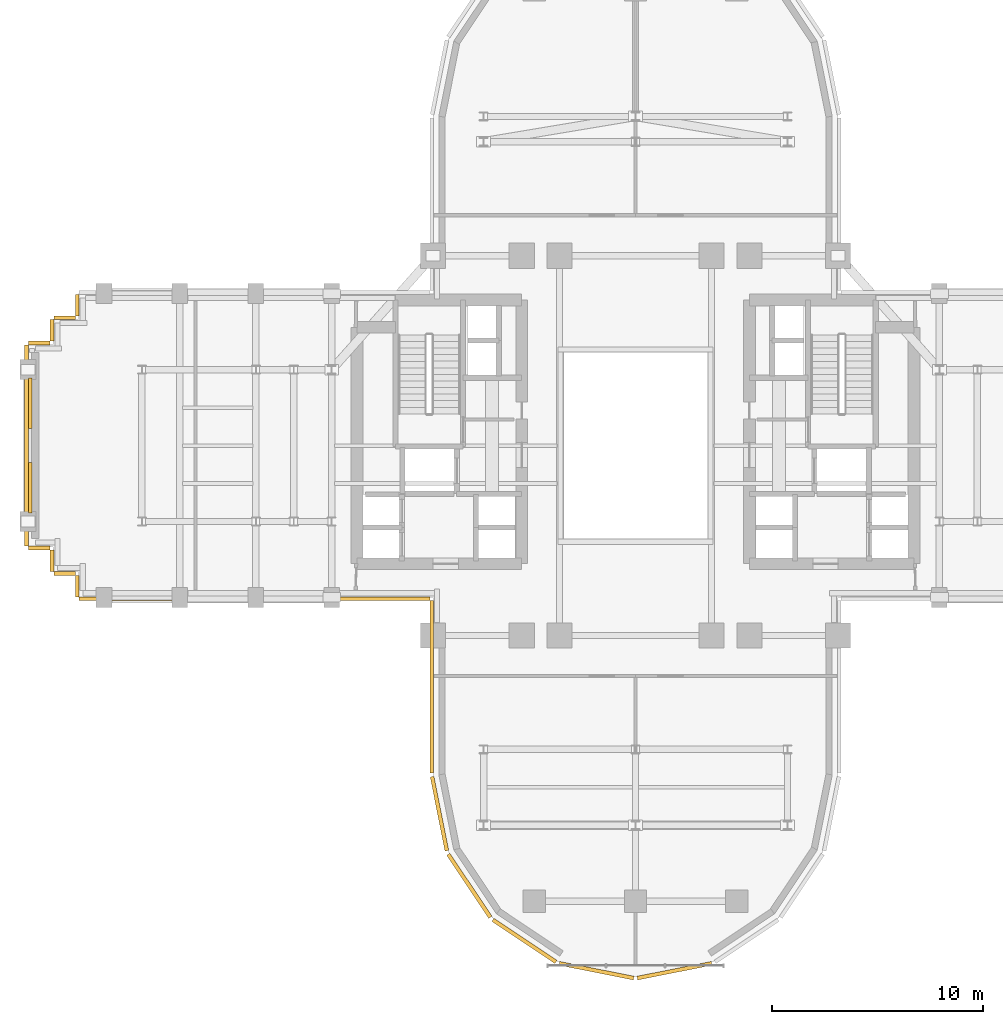
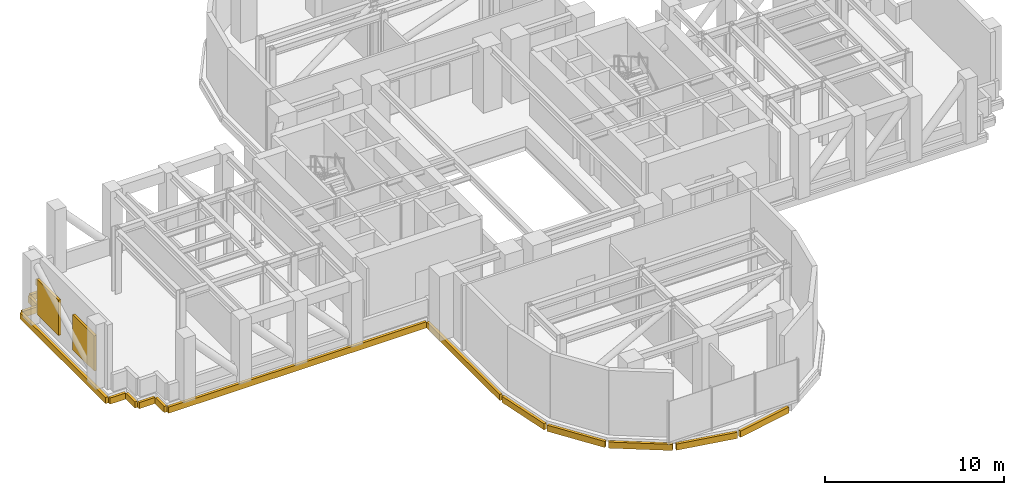
# One storey, part 12 of 15: 16 coverings, 2 shading devices.
"""IFC4 building model written with IfcOpenShell, lengths in metres."""

from ifc_helpers import new_model, si_unit, direction, frame, origin, origin_2d, place, context, subcontext, project, spatial, rectangle, extrude, source, transform, mapped, material, layer, layer_set, type_object, element, save


model = new_model("IFC4")

# Units and contexts
model_context = context("Model", 3, precision=1e-05, world=origin(), true_north=direction((0.0, 1.0)))
body_context = subcontext(model_context, "Body", "Model", "MODEL_VIEW")
ifc_project = project(units=[si_unit("LENGTHUNIT", "METRE"), si_unit("AREAUNIT", "SQUARE_METRE"), si_unit("VOLUMEUNIT", "CUBIC_METRE"), si_unit("PLANEANGLEUNIT", "RADIAN"), si_unit("MASSUNIT", "GRAM", prefix="KILO")], contexts=[model_context])

# Site, building, storey
site_placement = place(None, origin())
site = spatial("IfcSite", under=ifc_project, at=site_placement, CompositionType="ELEMENT")
building_placement = place(site_placement, origin())
building = spatial("IfcBuilding", under=site, at=building_placement, Name="Keilestroom Media Tower", CompositionType="ELEMENT")
storey_placement = place(building_placement, frame((0.0, 0.0, 88.39990234375)))
storey = spatial("IfcBuildingStorey", under=building, at=storey_placement, Name="L23", CompositionType="ELEMENT", Elevation=88.39990234375)

# Shading devices
ifc_material_1 = material(Name="Bronze Anodised Aluminium", Category="aluminium")
ifc_layer_1 = layer(ifc_material_1, 0.159912109375)
ifc_layer_set_1 = layer_set([ifc_layer_1], Name="Bronze Anodised Aluminium")
shading_device_type = type_object("IfcShadingDeviceType", Name="Facade-Plant-Intake-Louvre-SHD-2", PredefinedType="USERDEFINED", material=ifc_layer_set_1)
shared_shape_1 = source(origin(), body_context, "Body", "SweptSolid", [
    extrude(rectangle(XDim=0.159912109375, YDim=2.39990234375, at=origin_2d()), origin(), (0.0, 0.0, 1.0), 2.39990234375),
])
for number, where, z_axis, x_axis, name in (
    (1, (-28.68994140625, -2.0, 0.60009765625), (0.0, 0.0, 1.0), (1.0, 0.0, 0.0), "L23 Plant Intake Louvre W 05"),
    (2, (-28.68994140625, 2.0, 0.60009765625), (0.0, 0.0, 1.0), (1.0, 0.0, 0.0), "L23 Plant Intake Louvre W 06"),
):
    element("IfcShadingDevice", number, at=place(storey_placement, frame(where, z_axis=z_axis, x_axis=x_axis)), inside=storey, type_object=shading_device_type, Name=name, ObjectType="LOUVER", PredefinedType="USERDEFINED", context=body_context, shape_type="MappedRepresentation", body=[
        mapped(shared_shape_1, transform((0.0, 0.0, 0.0), x_axis=(1.0, 0.0, 0.0), y_axis=(0.0, 1.0, 0.0), z_axis=(0.0, 0.0, 1.0), scale=1.0)),
    ])

# Coverings
ifc_material_2 = material(Name="Precast concrete C40/50", Category="concrete")
ifc_layer_2 = layer(ifc_material_2, 0.1201171875)
ifc_layer_set_2 = layer_set([ifc_layer_2], Name="Precast concrete C40/50")
covering_type = type_object("IfcCoveringType", Name="Exterior-Precast-Spandrel-Cladding-Panel-120", PredefinedType="CLADDING", material=ifc_layer_set_2)
shared_shape_2 = source(origin(), body_context, "Body", "SweptSolid", [
    extrude(rectangle(XDim=1.02001953125, YDim=0.179931640625, at=origin_2d()), origin(), (0.0, 0.0, 1.0), 0.419921875),
])
for number, where, z_axis, x_axis, name in (
    (3, (-26.4599609375, -6.659912109375, -0.599853515625), (0.0, 0.0, 1.0), (0.0, 1.0, 0.0), "L23 Precast Slab-Edge Fascia Cornice 17"),
    (4, (-27.06005859375, -6.06005859375, -0.599853515625), (0.0, 0.0, 1.0), (-1.0, 0.0, 0.0), "L23 Precast Slab-Edge Fascia Cornice 18"),
    (5, (-27.659912109375, -5.4599609375, -0.599853515625), (0.0, 0.0, 1.0), (0.0, 1.0, 0.0), "L23 Precast Slab-Edge Fascia Cornice 19"),
    (6, (-28.260009765625, -4.860107421875, -0.599853515625), (0.0, 0.0, 1.0), (-1.0, 0.0, 0.0), "L23 Precast Slab-Edge Fascia Cornice 20"),
    (7, (-28.260009765625, 4.860107421875, -0.599853515625), (0.0, 0.0, 1.0), (1.0, 0.0, 0.0), "L23 Precast Slab-Edge Fascia Cornice 22"),
    (8, (-27.659912109375, 5.4599609375, -0.599853515625), (0.0, 0.0, 1.0), (0.0, 1.0, 0.0), "L23 Precast Slab-Edge Fascia Cornice 23"),
    (9, (-27.06005859375, 6.06005859375, -0.599853515625), (0.0, 0.0, 1.0), (1.0, 0.0, 0.0), "L23 Precast Slab-Edge Fascia Cornice 24"),
    (10, (-26.4599609375, 6.659912109375, -0.599853515625), (0.0, 0.0, 1.0), (0.0, 1.0, 0.0), "L23 Precast Slab-Edge Fascia Cornice 25"),
):
    element("IfcCovering", number, at=place(storey_placement, frame(where, z_axis=z_axis, x_axis=x_axis)), inside=storey, type_object=covering_type, Name=name, PredefinedType="CLADDING", context=body_context, shape_type="MappedRepresentation", body=[
        mapped(shared_shape_2, transform((0.0, 0.0, 0.0), x_axis=(1.0, 0.0, 0.0), y_axis=(0.0, 1.0, 0.0), z_axis=(0.0, 0.0, 1.0), scale=1.0)),
    ])
shared_shape_3 = source(origin(), body_context, "Body", "SweptSolid", [
    extrude(rectangle(XDim=16.6201171875, YDim=0.179931640625, at=origin_2d()), origin(), (0.0, 0.0, 1.0), 0.419921875),
])
covering_1_placement = place(storey_placement, frame((-18.06005859375, -7.260009765625, -0.599853515625), z_axis=(0.0, 0.0, 1.0), x_axis=(-1.0, 0.0, 0.0)))
element("IfcCovering", 11, at=covering_1_placement, inside=storey, type_object=covering_type, Name="L23 Precast Slab-Edge Fascia Cornice 16", PredefinedType="CLADDING", context=body_context, shape_type="MappedRepresentation", body=[
    mapped(shared_shape_3, transform((0.0, 0.0, 0.0), x_axis=(1.0, 0.0, 0.0), y_axis=(0.0, 1.0, 0.0), z_axis=(0.0, 0.0, 1.0), scale=1.0)),
])
shared_shape_4 = source(origin(), body_context, "Body", "SweptSolid", [
    extrude(rectangle(XDim=8.166015625, YDim=0.179931640625, at=origin_2d()), origin(), (0.0, 0.0, 1.0), 0.419921875),
])
covering_2_placement = place(storey_placement, frame((-9.659912109375, -11.43310546875, -0.599853515625), z_axis=(0.0, 0.0, 1.0), x_axis=(0.0, 1.0, 0.0)))
element("IfcCovering", 12, at=covering_2_placement, inside=storey, type_object=covering_type, Name="L23 Precast Slab-Edge Fascia Cornice 15", PredefinedType="CLADDING", context=body_context, shape_type="MappedRepresentation", body=[
    mapped(shared_shape_4, transform((0.0, 0.0, 0.0), x_axis=(1.0, 0.0, 0.0), y_axis=(0.0, 1.0, 0.0), z_axis=(0.0, 0.0, 1.0), scale=1.0)),
])
shared_shape_5 = source(origin(), body_context, "Body", "SweptSolid", [
    extrude(rectangle(XDim=3.58349609375, YDim=0.179931640625, at=origin_2d()), origin(), (0.0, 0.0, 1.0), 0.419921875),
])
covering_3_placement = place(storey_placement, frame((-9.29296875, -17.45166015625, -0.599853515625), z_axis=(0.0, 0.0, 1.0), x_axis=(-0.195098880975, 0.980783577882, 0.0)))
element("IfcCovering", 13, at=covering_3_placement, inside=storey, type_object=covering_type, Name="L23 Precast Slab-Edge Fascia Cornice 14", PredefinedType="CLADDING", context=body_context, shape_type="MappedRepresentation", body=[
    mapped(shared_shape_5, transform((0.0, 0.0, 0.0), x_axis=(1.0, 0.0, 0.0), y_axis=(0.0, 1.0, 0.0), z_axis=(0.0, 0.0, 1.0), scale=1.0)),
])
shared_shape_6 = source(origin(), body_context, "Body", "SweptSolid", [
    extrude(rectangle(XDim=3.589599609375, YDim=0.179931640625, at=origin_2d()), origin(), (0.0, 0.0, 1.0), 0.419921875),
])
for number, where, z_axis, x_axis, name in (
    (14, (1.8486328125, -24.893310546875, -0.599853515625), (0.0, 0.0, 1.0), (-0.980783577882, -0.195098880975, 0.0), "L23 Precast Slab-Edge Fascia Cornice 10"),
    (15, (-1.8486328125, -24.893310546875, -0.599853515625), (0.0, 0.0, 1.0), (-0.980783577882, 0.195098880975, 0.0), "L23 Precast Slab-Edge Fascia Cornice 11"),
    (16, (-5.264404296875, -23.478515625, -0.599853515625), (0.0, 0.0, 1.0), (-0.831466703332, 0.555574586577, 0.0), "L23 Precast Slab-Edge Fascia Cornice 12"),
    (17, (-7.878662109375, -20.8642578125, -0.599853515625), (0.0, 0.0, 1.0), (-0.555574586577, 0.831466703332, 0.0), "L23 Precast Slab-Edge Fascia Cornice 13"),
):
    element("IfcCovering", number, at=place(storey_placement, frame(where, z_axis=z_axis, x_axis=x_axis)), inside=storey, type_object=covering_type, Name=name, PredefinedType="CLADDING", context=body_context, shape_type="MappedRepresentation", body=[
        mapped(shared_shape_6, transform((0.0, 0.0, 0.0), x_axis=(1.0, 0.0, 0.0), y_axis=(0.0, 1.0, 0.0), z_axis=(0.0, 0.0, 1.0), scale=1.0)),
    ])
shared_shape_7 = source(origin(), body_context, "Body", "SweptSolid", [
    extrude(rectangle(XDim=9.5400390625, YDim=0.179931640625, at=origin_2d()), origin(), (0.0, 0.0, 1.0), 0.419921875),
])
covering_4_placement = place(storey_placement, frame((-28.860107421875, 0.0, -0.599853515625), z_axis=(0.0, 0.0, 1.0), x_axis=(0.0, 1.0, 0.0)))
element("IfcCovering", 18, at=covering_4_placement, inside=storey, type_object=covering_type, Name="L23 Precast Slab-Edge Fascia Cornice 21", PredefinedType="CLADDING", context=body_context, shape_type="MappedRepresentation", body=[
    mapped(shared_shape_7, transform((0.0, 0.0, 0.0), x_axis=(1.0, 0.0, 0.0), y_axis=(0.0, 1.0, 0.0), z_axis=(0.0, 0.0, 1.0), scale=1.0)),
])

save(model, "model.ifc")
